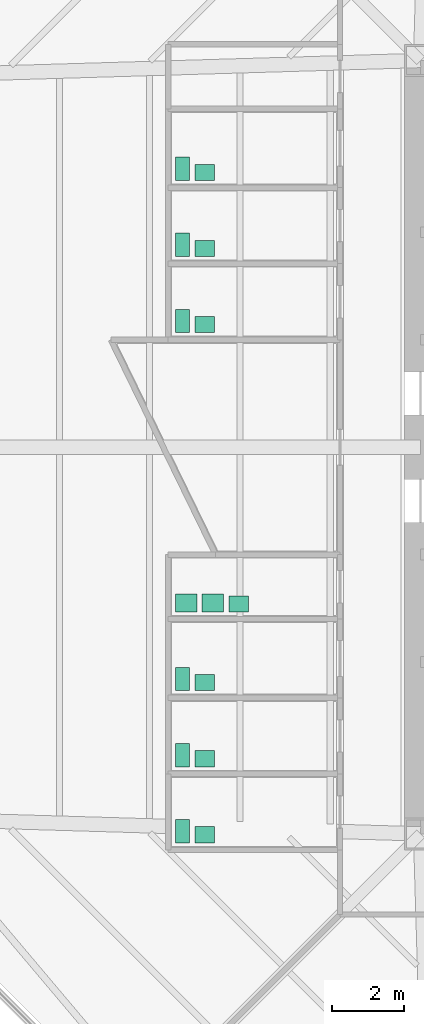
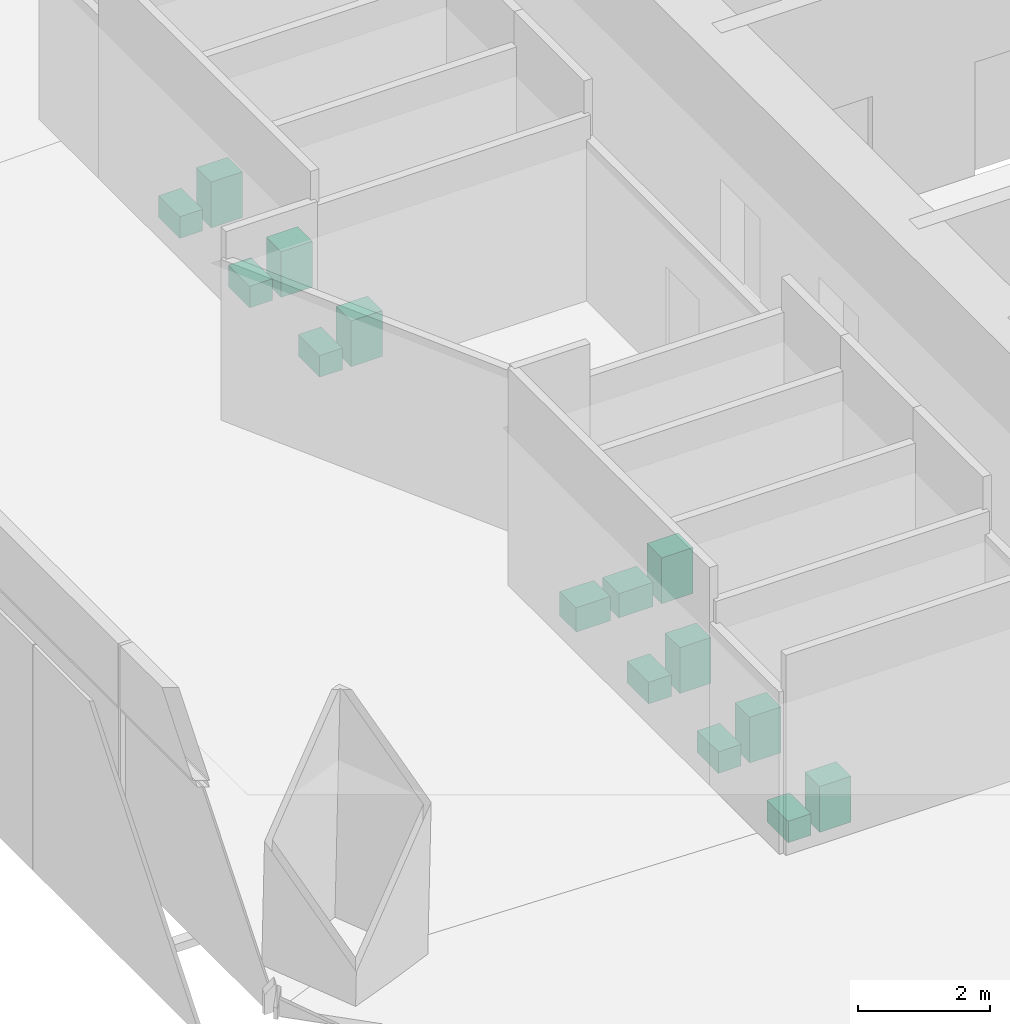
# One storey, part 13 of 13: 15 sanitary terminals.
"""IFC4 building model written with IfcOpenShell, lengths in metres."""

from ifc_helpers import new_model, si_unit, direction, frame, origin, origin_2d, place, context, subcontext, project, spatial, rectangle, extrude, material, type_object, element, save


model = new_model("IFC4")

# Units and contexts
model_context = context("Model", 3, precision=1e-05, world=origin(), true_north=direction((0.0, 1.0)))
body_context = subcontext(model_context, "Body", "Model", "MODEL_VIEW")
ifc_project = project(units=[si_unit("LENGTHUNIT", "METRE"), si_unit("AREAUNIT", "SQUARE_METRE"), si_unit("VOLUMEUNIT", "CUBIC_METRE"), si_unit("PLANEANGLEUNIT", "RADIAN"), si_unit("MASSUNIT", "GRAM", prefix="KILO")], contexts=[model_context])

# Site, building, storey
site_placement = place(None, origin())
site = spatial("IfcSite", under=ifc_project, at=site_placement, CompositionType="ELEMENT")
building_placement = place(site_placement, origin())
building = spatial("IfcBuilding", under=site, at=building_placement, Name="Mashrafa Tower", CompositionType="ELEMENT")
storey_placement = place(building_placement, frame((0.0, 0.0, 45.60009765625)))
storey = spatial("IfcBuildingStorey", under=building, at=storey_placement, Name="L09", CompositionType="ELEMENT", Elevation=45.60009765625)

# Sanitary terminals
ifc_material_1 = material(Name="Stainless steel", Category="steel")
sanitary_terminal_type_1 = type_object("IfcSanitaryTerminalType", Name="Ablution wash station 600 x 500", PredefinedType="WASHHANDBASIN", material=ifc_material_1)
for number, where, z_axis, x_axis, name in (
    (1, (-17.35009765625, -4.35009765625, 0.0), (0.0, 0.0, 1.0), (1.0, 0.0, 0.0), "Ablution wash station Ablution Room L09 S"),
    (2, (-16.60009765625, -4.35009765625, 0.0), (0.0, 0.0, 1.0), (1.0, 0.0, 0.0), "Ablution wash station Ablution Room L09 S"),
):
    element("IfcSanitaryTerminal", number, at=place(storey_placement, frame(where, z_axis=z_axis, x_axis=x_axis)), inside=storey, type_object=sanitary_terminal_type_1, Name=name, PredefinedType="WASHHANDBASIN", context=body_context, shape_type="SweptSolid", body=[
        extrude(rectangle(XDim=0.60009765625, YDim=0.5, at=origin_2d()), origin(), (0.0, 0.0, 1.0), 0.449951171875),
    ])
ifc_material_2 = material(Name="Vitreous china")
sanitary_terminal_type_2 = type_object("IfcSanitaryTerminalType", Name="Toilet pan 400 x 650", PredefinedType="TOILETPAN", material=ifc_material_2)
for number, where, z_axis, x_axis, name in (
    (3, (-17.449951171875, 3.52490234375, 0.0), (0.0, 0.0, 1.0), (1.0, 0.0, 0.0), "Toilet pan WC Female L09 N"),
    (4, (-17.449951171875, 5.64990234375, 0.0), (0.0, 0.0, 1.0), (1.0, 0.0, 0.0), "Toilet pan WC Male L09 N"),
    (5, (-17.449951171875, 7.77490234375, 0.0), (0.0, 0.0, 1.0), (1.0, 0.0, 0.0), "Toilet pan Accessible WC L09 N"),
    (6, (-17.449951171875, -10.72509765625, 0.0), (0.0, 0.0, 1.0), (1.0, 0.0, 0.0), "Toilet pan WC Female L09 S"),
    (7, (-17.449951171875, -8.60009765625, 0.0), (0.0, 0.0, 1.0), (1.0, 0.0, 0.0), "Toilet pan WC Male L09 S"),
    (8, (-17.449951171875, -6.47509765625, 0.0), (0.0, 0.0, 1.0), (1.0, 0.0, 0.0), "Toilet pan Accessible WC L09 S"),
):
    element("IfcSanitaryTerminal", number, at=place(storey_placement, frame(where, z_axis=z_axis, x_axis=x_axis)), inside=storey, type_object=sanitary_terminal_type_2, Name=name, PredefinedType="TOILETPAN", context=body_context, shape_type="SweptSolid", body=[
        extrude(rectangle(XDim=0.39990234375, YDim=0.64990234375, at=origin_2d()), origin(), (0.0, 0.0, 1.0), 0.39990234375),
    ])
ifc_material_3 = material(Name="Vitreous china")
sanitary_terminal_type_3 = type_object("IfcSanitaryTerminalType", Name="Wash basin 550 x 450", PredefinedType="WASHHANDBASIN", material=ifc_material_3)
for number, where, z_axis, x_axis, name in (
    (9, (-16.824951171875, 3.425048828125, -0.000244140625), (0.0, 0.0, 1.0), (1.0, 0.0, 0.0), "Wash basin WC Female L09 N"),
    (10, (-16.824951171875, 5.550048828125, -0.000244140625), (0.0, 0.0, 1.0), (1.0, 0.0, 0.0), "Wash basin WC Male L09 N"),
    (11, (-16.824951171875, 7.675048828125, -0.000244140625), (0.0, 0.0, 1.0), (1.0, 0.0, 0.0), "Wash basin Accessible WC L09 N"),
    (12, (-16.824951171875, -10.824951171875, -0.000244140625), (0.0, 0.0, 1.0), (1.0, 0.0, 0.0), "Wash basin WC Female L09 S"),
    (13, (-16.824951171875, -8.699951171875, -0.000244140625), (0.0, 0.0, 1.0), (1.0, 0.0, 0.0), "Wash basin WC Male L09 S"),
    (14, (-16.824951171875, -6.574951171875, -0.000244140625), (0.0, 0.0, 1.0), (1.0, 0.0, 0.0), "Wash basin Accessible WC L09 S"),
    (15, (-15.875, -4.375, -0.000244140625), (0.0, 0.0, 1.0), (1.0, 0.0, 0.0), "Wash basin Ablution Room L09 S"),
):
    element("IfcSanitaryTerminal", number, at=place(storey_placement, frame(where, z_axis=z_axis, x_axis=x_axis)), inside=storey, type_object=sanitary_terminal_type_3, Name=name, PredefinedType="WASHHANDBASIN", context=body_context, shape_type="SweptSolid", body=[
        extrude(rectangle(XDim=0.550048828125, YDim=0.449951171875, at=origin_2d()), origin(), (0.0, 0.0, 1.0), 0.85009765625),
    ])

save(model, "model.ifc")
